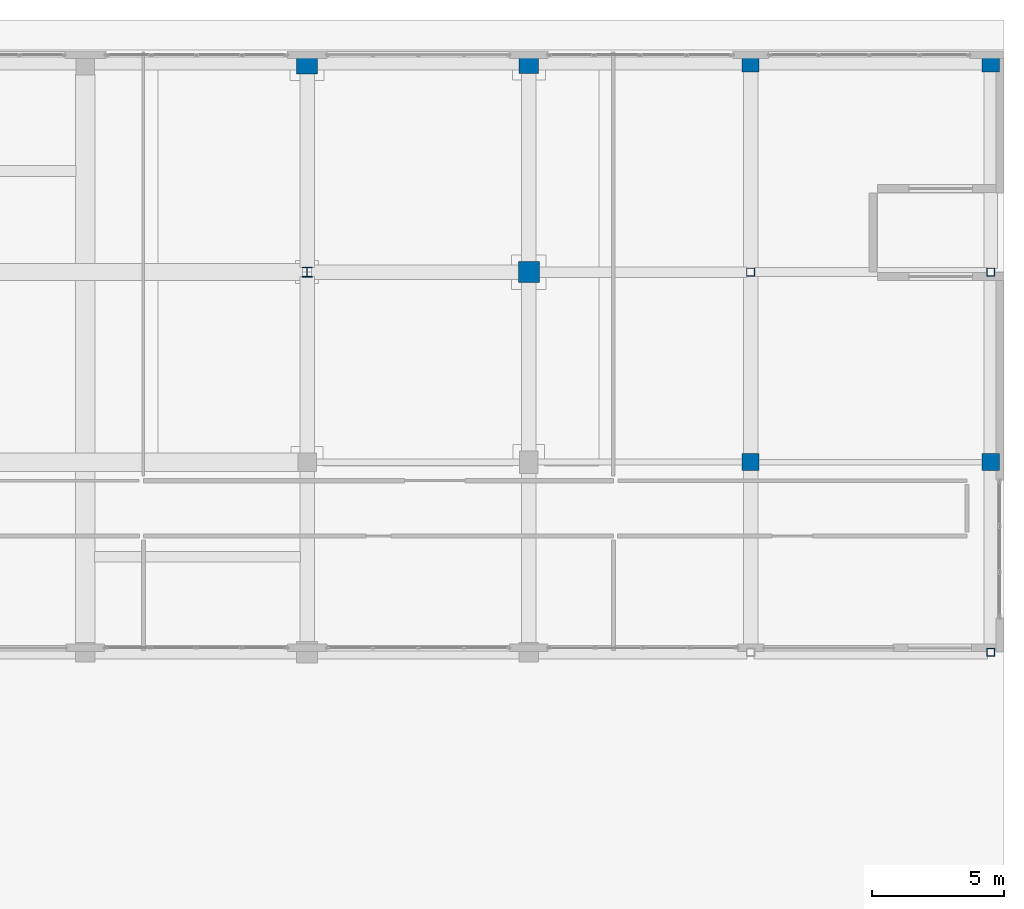
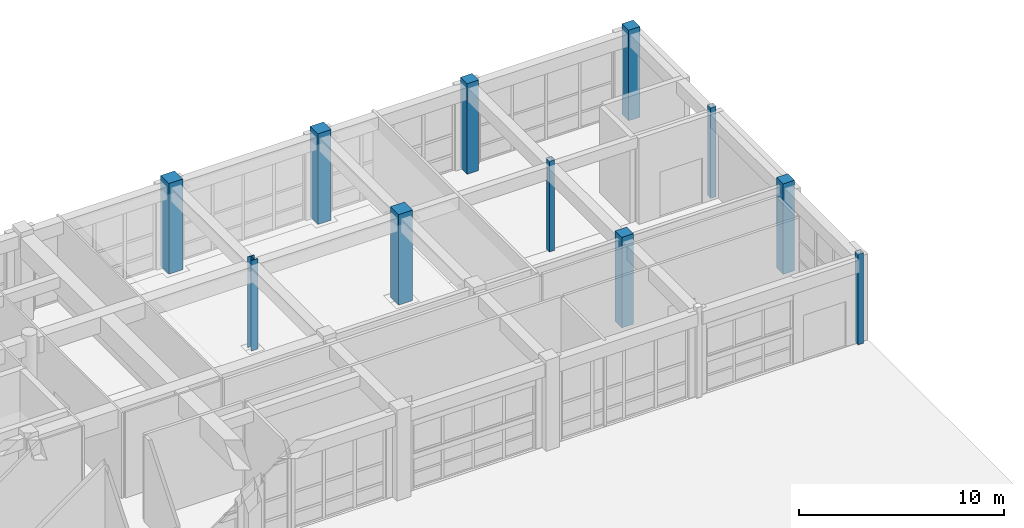
# One storey, part 14 of 148: 11 columns.
"""IFC4 building model written with IfcOpenShell, lengths in metres."""

from ifc_helpers import new_model, si_unit, direction, frame, origin, origin_2d, place, context, subcontext, project, spatial, rectangle, hollow_rectangle, i_section, extrude, material, material_profile, profile_set, type_object, element, save


model = new_model("IFC4")

# Units and contexts
model_context = context("Model", 3, precision=1e-05, world=origin(), true_north=direction((0.0, 1.0)))
body_context = subcontext(model_context, "Body", "Model", "MODEL_VIEW")
ifc_project = project(units=[si_unit("LENGTHUNIT", "METRE"), si_unit("AREAUNIT", "SQUARE_METRE"), si_unit("VOLUMEUNIT", "CUBIC_METRE"), si_unit("PLANEANGLEUNIT", "RADIAN"), si_unit("MASSUNIT", "GRAM", prefix="KILO")], contexts=[model_context])

# Site, building, storey
site_placement = place(None, origin())
site = spatial("IfcSite", under=ifc_project, at=site_placement, CompositionType="ELEMENT")
building_placement = place(site_placement, origin())
building = spatial("IfcBuilding", under=site, at=building_placement, Name="Quendrovan Civic Courthouse", CompositionType="ELEMENT")
storey_placement = place(building_placement, origin())
storey = spatial("IfcBuildingStorey", under=building, at=storey_placement, Name="L01", CompositionType="ELEMENT", Elevation=0.0)

# Columns
ifc_material_1 = material(Name="Concrete C45/55", Category="concrete")
ifc_material_profile_1 = material_profile(ifc_material_1, rectangle(XDim=0.64990234375, YDim=0.64990234375, at=origin_2d()), Name="RC-COL-650x650")
ifc_profile_set_1 = profile_set([ifc_material_profile_1], Name="Concrete C45/55")
column_type_1 = type_object("IfcColumnType", Name="COL-RC650", PredefinedType="COLUMN", material=ifc_profile_set_1)
for number, where, z_axis, x_axis, name in (
    (1, (151.199951171875, 94.800048828125, 0.0), (0.0, 0.0, 1.0), (1.0, 0.0, 0.0), "L01 Column 19-N"),
    (2, (151.199951171875, 109.89990234375, 0.0), (0.0, 0.0, 1.0), (1.0, 0.0, 0.0), "L01 Column 19-Q"),
    (3, (160.300048828125, 94.800048828125, 0.0), (0.0, 0.0, 1.0), (1.0, 0.0, 0.0), "L01 Column 20-N"),
    (4, (160.300048828125, 109.89990234375, 0.0), (0.0, 0.0, 1.0), (1.0, 0.0, 0.0), "L01 Column 20-Q"),
):
    element("IfcColumn", number, at=place(storey_placement, frame(where, z_axis=z_axis, x_axis=x_axis)), inside=storey, type_object=column_type_1, Name=name, PredefinedType="COLUMN", context=body_context, shape_type="SweptSolid", body=[
        extrude(rectangle(XDim=0.64990234375, YDim=0.64990234375, at=origin_2d()), origin(), (0.0, 0.0, 1.0), 5.39990234375),
    ])
ifc_material_profile_2 = material_profile(ifc_material_1, rectangle(XDim=0.75, YDim=0.75, at=origin_2d()), Name="RC-COL-750x750")
ifc_profile_set_2 = profile_set([ifc_material_profile_2], Name="Concrete C45/55")
column_type_2 = type_object("IfcColumnType", Name="COL-RC750", PredefinedType="COLUMN", material=ifc_profile_set_2)
column_1_placement = place(storey_placement, frame((142.800048828125, 109.89990234375, 0.0), z_axis=(0.0, 0.0, 1.0), x_axis=(1.0, 0.0, 0.0)))
element("IfcColumn", 5, at=column_1_placement, inside=storey, type_object=column_type_2, Name="L01 Column 18-Q", PredefinedType="COLUMN", context=body_context, shape_type="SweptSolid", body=[
    extrude(rectangle(XDim=0.75, YDim=0.75, at=origin_2d()), origin(), (0.0, 0.0, 1.0), 5.39990234375),
])
ifc_material_profile_3 = material_profile(ifc_material_1, rectangle(XDim=0.800048828125, YDim=0.800048828125, at=origin_2d()), Name="RC-COL-800x800")
ifc_profile_set_3 = profile_set([ifc_material_profile_3], Name="Concrete C45/55")
column_type_3 = type_object("IfcColumnType", Name="COL-RC800", PredefinedType="COLUMN", material=ifc_profile_set_3)
for number, where, z_axis, x_axis, name in (
    (6, (134.39990234375, 109.89990234375, 0.0), (0.0, 0.0, 1.0), (1.0, 0.0, 0.0), "L01 Column 17-Q"),
    (7, (142.800048828125, 102.0, 0.0), (0.0, 0.0, 1.0), (1.0, 0.0, 0.0), "L01 Column 18-P"),
):
    element("IfcColumn", number, at=place(storey_placement, frame(where, z_axis=z_axis, x_axis=x_axis)), inside=storey, type_object=column_type_3, Name=name, PredefinedType="COLUMN", context=body_context, shape_type="SweptSolid", body=[
        extrude(rectangle(XDim=0.800048828125, YDim=0.800048828125, at=origin_2d()), origin(), (0.0, 0.0, 1.0), 5.39990234375),
    ])
ifc_material_2 = material(Name="Steel ASTM A500 Grade C", Category="steel")
ifc_material_profile_4 = material_profile(ifc_material_2, hollow_rectangle(XDim=0.300048828125, YDim=0.300048828125, WallThickness=0.011962890625, at=origin_2d()), Name="HSS300x300x12")
ifc_profile_set_4 = profile_set([ifc_material_profile_4], Name="Steel ASTM A500 Grade C")
column_type_4 = type_object("IfcColumnType", Name="COL-STL-HSS300S", PredefinedType="COLUMN", material=ifc_profile_set_4)
for number, where, z_axis, x_axis, name in (
    (8, (151.199951171875, 102.0, 0.0), (0.0, 0.0, 1.0), (1.0, 0.0, 0.0), "L01 Column 19-P"),
    (9, (160.300048828125, 87.60009765625, 0.0), (0.0, 0.0, 1.0), (1.0, 0.0, 0.0), "L01 Column 20-M"),
    (10, (160.300048828125, 102.0, 0.0), (0.0, 0.0, 1.0), (1.0, 0.0, 0.0), "L01 Column 20-P"),
):
    element("IfcColumn", number, at=place(storey_placement, frame(where, z_axis=z_axis, x_axis=x_axis)), inside=storey, type_object=column_type_4, Name=name, PredefinedType="COLUMN", context=body_context, shape_type="SweptSolid", body=[
        extrude(hollow_rectangle(XDim=0.300048828125, YDim=0.300048828125, WallThickness=0.011962890625, at=origin_2d()), origin(), (0.0, 0.0, 1.0), 5.39990234375),
    ])
ifc_material_3 = material(Name="Steel ASTM A992 Grade 50", Category="steel")
ifc_material_profile_5 = material_profile(ifc_material_3, i_section(OverallWidth=0.3740234375, OverallDepth=0.3720703125, WebThickness=0.016357421875, FlangeThickness=0.026123046875, at=origin_2d()), Name="W14X132")
ifc_profile_set_5 = profile_set([ifc_material_profile_5], Name="Steel ASTM A992 Grade 50")
column_type_5 = type_object("IfcColumnType", Name="COL-STL-W14X132", PredefinedType="COLUMN", material=ifc_profile_set_5)
column_2_placement = place(storey_placement, frame((134.39990234375, 102.0, 0.0), z_axis=(0.0, 0.0, 1.0), x_axis=(1.0, 0.0, 0.0)))
element("IfcColumn", 11, at=column_2_placement, inside=storey, type_object=column_type_5, Name="L01 Column 17-P", PredefinedType="COLUMN", context=body_context, shape_type="SweptSolid", body=[
    extrude(i_section(OverallWidth=0.3740234375, OverallDepth=0.3720703125, WebThickness=0.016357421875, FlangeThickness=0.026123046875, at=origin_2d()), origin(), (0.0, 0.0, 1.0), 5.39990234375),
])

save(model, "model.ifc")
